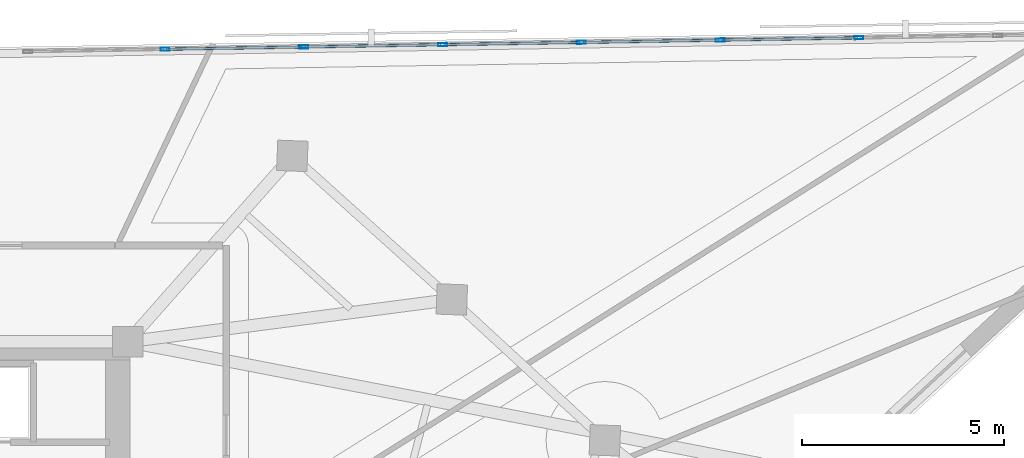
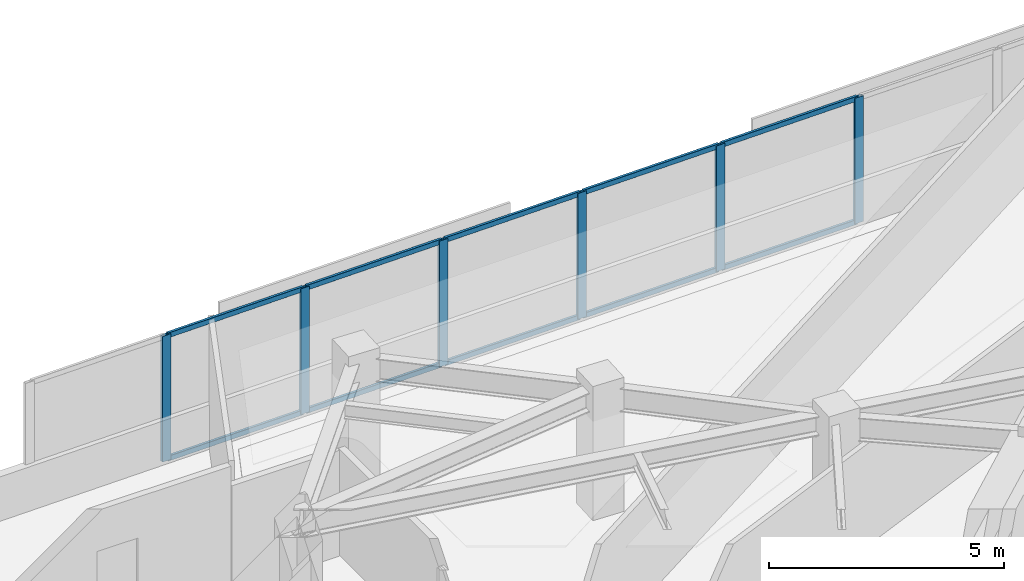
# One storey, part 5 of 13: 16 members, 1 element without a shape of its own.
"""IFC4 building model written with IfcOpenShell, lengths in metres."""

from ifc_helpers import new_model, si_unit, direction, frame, origin, origin_2d, place, context, subcontext, project, spatial, hollow_rectangle, extrude, material, material_profile, profile_set, type_object, element, aggregate, save


model = new_model("IFC4")

# Units and contexts
model_context = context("Model", 3, precision=1e-05, world=origin(), true_north=direction((0.0, 1.0)))
body_context = subcontext(model_context, "Body", "Model", "MODEL_VIEW")
ifc_project = project(units=[si_unit("LENGTHUNIT", "METRE"), si_unit("AREAUNIT", "SQUARE_METRE"), si_unit("VOLUMEUNIT", "CUBIC_METRE"), si_unit("PLANEANGLEUNIT", "RADIAN"), si_unit("MASSUNIT", "GRAM", prefix="KILO")], contexts=[model_context])

# Site, building, storey
site_placement = place(None, origin())
site = spatial("IfcSite", under=ifc_project, at=site_placement, CompositionType="ELEMENT")
building_placement = place(site_placement, origin())
building = spatial("IfcBuilding", under=site, at=building_placement, Name="Narakoshi Arena Tower", CompositionType="ELEMENT")
storey_placement = place(building_placement, frame((0.0, 0.0, 271.300048828125)))
storey = spatial("IfcBuildingStorey", under=building, at=storey_placement, Name="L74", CompositionType="ELEMENT", Elevation=271.300048828125)

# Curtain wall, members
ifc_material = material(Name="Anodised bronze aluminium 6063-T6", Category="aluminium")
curtain_wall_type = type_object("IfcCurtainWallType", Name="CW-HYP-HIGH", PredefinedType="NOTDEFINED", material=ifc_material)
curtain_wall_placement = place(storey_placement, origin())
curtain_wall = element("IfcCurtainWall", 1, at=curtain_wall_placement, inside=storey, type_object=curtain_wall_type, Name="L74 Folded Hypotenuse Curtain Wall 1-1", PredefinedType="NOTDEFINED")
ifc_material_profile_1 = material_profile(ifc_material, hollow_rectangle(XDim=0.080078125, YDim=0.219970703125, WallThickness=0.0048828125, OuterFilletRadius=0.006103515625, at=origin_2d()), Name="MUL220x80x5")
ifc_profile_set_1 = profile_set([ifc_material_profile_1], Name="Anodised bronze aluminium 6063-T6")
member_type_1 = type_object("IfcMemberType", Name="MEM-MUL-220", PredefinedType="MULLION", material=ifc_profile_set_1)
member_1_placement = place(storey_placement, frame((103.604248046875, 64.005615234375, 0.0), z_axis=(0.0, 0.0, 1.0), x_axis=(0.016442997569, -0.999864804777, 0.0)))
member_1 = element("IfcMember", 2, at=member_1_placement, type_object=member_type_1, Name="CW-03 mullion 3", PredefinedType="MULLION", context=body_context, shape_type="SweptSolid", body=[
    extrude(hollow_rectangle(XDim=0.080078125, YDim=0.219970703125, WallThickness=0.0048828125, OuterFilletRadius=0.006103515625, at=origin_2d()), origin(), (0.0, 0.0, 1.0), 3.260009765625),
])
member_2_placement = place(storey_placement, frame((100.177001953125, 63.94921875, 0.0), z_axis=(0.0, 0.0, 1.0), x_axis=(0.016442997569, -0.999864804777, 0.0)))
member_2 = element("IfcMember", 3, at=member_2_placement, type_object=member_type_1, Name="CW-03 mullion 4", PredefinedType="MULLION", context=body_context, shape_type="SweptSolid", body=[
    extrude(hollow_rectangle(XDim=0.080078125, YDim=0.219970703125, WallThickness=0.0048828125, OuterFilletRadius=0.006103515625, at=origin_2d()), origin(), (0.0, 0.0, 1.0), 3.260009765625),
])
member_3_placement = place(storey_placement, frame((96.749755859375, 63.89306640625, 0.0), z_axis=(0.0, 0.0, 1.0), x_axis=(0.016442997569, -0.999864804777, 0.0)))
member_3 = element("IfcMember", 4, at=member_3_placement, type_object=member_type_1, Name="CW-03 mullion 5", PredefinedType="MULLION", context=body_context, shape_type="SweptSolid", body=[
    extrude(hollow_rectangle(XDim=0.080078125, YDim=0.219970703125, WallThickness=0.0048828125, OuterFilletRadius=0.006103515625, at=origin_2d()), origin(), (0.0, 0.0, 1.0), 3.260009765625),
])
member_4_placement = place(storey_placement, frame((93.322509765625, 63.836669921875, 0.0), z_axis=(0.0, 0.0, 1.0), x_axis=(0.016442997569, -0.999864804777, 0.0)))
member_4 = element("IfcMember", 5, at=member_4_placement, type_object=member_type_1, Name="CW-03 mullion 6", PredefinedType="MULLION", context=body_context, shape_type="SweptSolid", body=[
    extrude(hollow_rectangle(XDim=0.080078125, YDim=0.219970703125, WallThickness=0.0048828125, OuterFilletRadius=0.006103515625, at=origin_2d()), origin(), (0.0, 0.0, 1.0), 3.260009765625),
])
member_5_placement = place(storey_placement, frame((89.895263671875, 63.7802734375, 0.0), z_axis=(0.0, 0.0, 1.0), x_axis=(0.016442997569, -0.999864804777, 0.0)))
member_5 = element("IfcMember", 6, at=member_5_placement, type_object=member_type_1, Name="CW-03 mullion 7", PredefinedType="MULLION", context=body_context, shape_type="SweptSolid", body=[
    extrude(hollow_rectangle(XDim=0.080078125, YDim=0.219970703125, WallThickness=0.0048828125, OuterFilletRadius=0.006103515625, at=origin_2d()), origin(), (0.0, 0.0, 1.0), 3.260009765625),
])
member_6_placement = place(storey_placement, frame((86.4677734375, 63.723876953125, 0.0), z_axis=(0.0, 0.0, 1.0), x_axis=(0.016442997569, -0.999864804777, 0.0)))
member_6 = element("IfcMember", 7, at=member_6_placement, type_object=member_type_1, Name="CW-03 mullion 8", PredefinedType="MULLION", context=body_context, shape_type="SweptSolid", body=[
    extrude(hollow_rectangle(XDim=0.080078125, YDim=0.219970703125, WallThickness=0.0048828125, OuterFilletRadius=0.006103515625, at=origin_2d()), origin(), (0.0, 0.0, 1.0), 3.260009765625),
])
ifc_material_profile_2 = material_profile(ifc_material, hollow_rectangle(XDim=0.06494140625, YDim=0.1298828125, WallThickness=0.00390625, OuterFilletRadius=0.0048828125, at=origin_2d()), Name="TRN130x65x4")
ifc_profile_set_2 = profile_set([ifc_material_profile_2], Name="Anodised bronze aluminium 6063-T6")
member_type_2 = type_object("IfcMemberType", Name="MEM-TRN-130", PredefinedType="USERDEFINED", material=ifc_profile_set_2)
member_7_placement = place(storey_placement, frame((103.564208984375, 64.005126953125, 0.032470703125), z_axis=(-0.999864161313, -0.016482078808, 0.0), x_axis=(0.016482078808, -0.999864161313, 0.0)))
member_7 = element("IfcMember", 8, at=member_7_placement, type_object=member_type_2, Name="CW-03 transom 3.1", ObjectType="TRANSOM", PredefinedType="USERDEFINED", context=body_context, shape_type="SweptSolid", body=[
    extrude(hollow_rectangle(XDim=0.06494140625, YDim=0.1298828125, WallThickness=0.00390625, OuterFilletRadius=0.0048828125, at=origin_2d()), origin(), (0.0, 0.0, 1.0), 3.34765625),
])
member_8_placement = place(storey_placement, frame((103.564208984375, 64.005126953125, 3.2275390625), z_axis=(-0.999864161313, -0.016482078808, 0.0), x_axis=(0.016482078808, -0.999864161313, 0.0)))
member_8 = element("IfcMember", 9, at=member_8_placement, type_object=member_type_2, Name="CW-03 transom 3.2", ObjectType="TRANSOM", PredefinedType="USERDEFINED", context=body_context, shape_type="SweptSolid", body=[
    extrude(hollow_rectangle(XDim=0.06494140625, YDim=0.1298828125, WallThickness=0.00390625, OuterFilletRadius=0.0048828125, at=origin_2d()), origin(), (0.0, 0.0, 1.0), 3.34765625),
])
member_9_placement = place(storey_placement, frame((100.136962890625, 63.94873046875, 0.032470703125), z_axis=(-0.999864161313, -0.016482078808, 0.0), x_axis=(0.016482078808, -0.999864161313, 0.0)))
member_9 = element("IfcMember", 10, at=member_9_placement, type_object=member_type_2, Name="CW-03 transom 4.1", ObjectType="TRANSOM", PredefinedType="USERDEFINED", context=body_context, shape_type="SweptSolid", body=[
    extrude(hollow_rectangle(XDim=0.06494140625, YDim=0.1298828125, WallThickness=0.00390625, OuterFilletRadius=0.0048828125, at=origin_2d()), origin(), (0.0, 0.0, 1.0), 3.34765625),
])
member_10_placement = place(storey_placement, frame((100.136962890625, 63.94873046875, 3.2275390625), z_axis=(-0.999864161313, -0.016482078808, 0.0), x_axis=(0.016482078808, -0.999864161313, 0.0)))
member_10 = element("IfcMember", 11, at=member_10_placement, type_object=member_type_2, Name="CW-03 transom 4.2", ObjectType="TRANSOM", PredefinedType="USERDEFINED", context=body_context, shape_type="SweptSolid", body=[
    extrude(hollow_rectangle(XDim=0.06494140625, YDim=0.1298828125, WallThickness=0.00390625, OuterFilletRadius=0.0048828125, at=origin_2d()), origin(), (0.0, 0.0, 1.0), 3.34765625),
])
member_11_placement = place(storey_placement, frame((96.709716796875, 63.892333984375, 0.032470703125), z_axis=(-0.999864161313, -0.016482078808, 0.0), x_axis=(0.016482078808, -0.999864161313, 0.0)))
member_11 = element("IfcMember", 12, at=member_11_placement, type_object=member_type_2, Name="CW-03 transom 5.1", ObjectType="TRANSOM", PredefinedType="USERDEFINED", context=body_context, shape_type="SweptSolid", body=[
    extrude(hollow_rectangle(XDim=0.06494140625, YDim=0.1298828125, WallThickness=0.00390625, OuterFilletRadius=0.0048828125, at=origin_2d()), origin(), (0.0, 0.0, 1.0), 3.34765625),
])
member_12_placement = place(storey_placement, frame((96.709716796875, 63.892333984375, 3.2275390625), z_axis=(-0.999864161313, -0.016482078808, 0.0), x_axis=(0.016482078808, -0.999864161313, 0.0)))
member_12 = element("IfcMember", 13, at=member_12_placement, type_object=member_type_2, Name="CW-03 transom 5.2", ObjectType="TRANSOM", PredefinedType="USERDEFINED", context=body_context, shape_type="SweptSolid", body=[
    extrude(hollow_rectangle(XDim=0.06494140625, YDim=0.1298828125, WallThickness=0.00390625, OuterFilletRadius=0.0048828125, at=origin_2d()), origin(), (0.0, 0.0, 1.0), 3.34765625),
])
member_13_placement = place(storey_placement, frame((93.282470703125, 63.8359375, 0.032470703125), z_axis=(-0.999864181123, -0.016480877028, 0.0), x_axis=(0.016480877028, -0.999864181123, 0.0)))
member_13 = element("IfcMember", 14, at=member_13_placement, type_object=member_type_2, Name="CW-03 transom 6.1", ObjectType="TRANSOM", PredefinedType="USERDEFINED", context=body_context, shape_type="SweptSolid", body=[
    extrude(hollow_rectangle(XDim=0.06494140625, YDim=0.1298828125, WallThickness=0.00390625, OuterFilletRadius=0.0048828125, at=origin_2d()), origin(), (0.0, 0.0, 1.0), 3.347900390625),
])
member_14_placement = place(storey_placement, frame((93.282470703125, 63.8359375, 3.2275390625), z_axis=(-0.999864181123, -0.016480877028, 0.0), x_axis=(0.016480877028, -0.999864181123, 0.0)))
member_14 = element("IfcMember", 15, at=member_14_placement, type_object=member_type_2, Name="CW-03 transom 6.2", ObjectType="TRANSOM", PredefinedType="USERDEFINED", context=body_context, shape_type="SweptSolid", body=[
    extrude(hollow_rectangle(XDim=0.06494140625, YDim=0.1298828125, WallThickness=0.00390625, OuterFilletRadius=0.0048828125, at=origin_2d()), origin(), (0.0, 0.0, 1.0), 3.347900390625),
])
member_15_placement = place(storey_placement, frame((89.855224609375, 63.779541015625, 0.032470703125), z_axis=(-0.999865380158, -0.01640797247, 0.0), x_axis=(0.01640797247, -0.999865380158, 0.0)))
member_15 = element("IfcMember", 16, at=member_15_placement, type_object=member_type_2, Name="CW-03 transom 7.1", ObjectType="TRANSOM", PredefinedType="USERDEFINED", context=body_context, shape_type="SweptSolid", body=[
    extrude(hollow_rectangle(XDim=0.06494140625, YDim=0.1298828125, WallThickness=0.00390625, OuterFilletRadius=0.0048828125, at=origin_2d()), origin(), (0.0, 0.0, 1.0), 3.347900390625),
])
member_16_placement = place(storey_placement, frame((89.855224609375, 63.779541015625, 3.2275390625), z_axis=(-0.999865380158, -0.01640797247, 0.0), x_axis=(0.01640797247, -0.999865380158, 0.0)))
member_16 = element("IfcMember", 17, at=member_16_placement, type_object=member_type_2, Name="CW-03 transom 7.2", ObjectType="TRANSOM", PredefinedType="USERDEFINED", context=body_context, shape_type="SweptSolid", body=[
    extrude(hollow_rectangle(XDim=0.06494140625, YDim=0.1298828125, WallThickness=0.00390625, OuterFilletRadius=0.0048828125, at=origin_2d()), origin(), (0.0, 0.0, 1.0), 3.347900390625),
])
aggregate(curtain_wall, [member_1, member_2, member_3, member_4, member_5, member_6, member_7, member_8, member_9, member_10, member_11, member_12, member_13, member_14, member_15, member_16])

save(model, "model.ifc")
